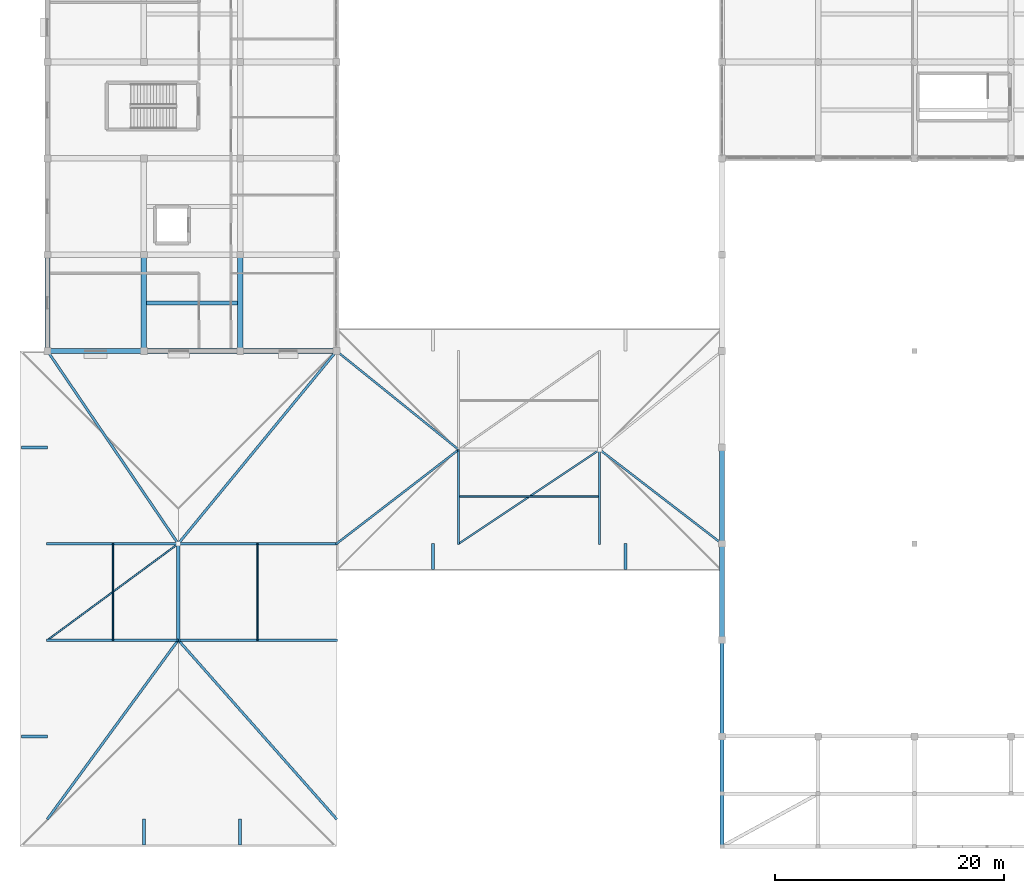
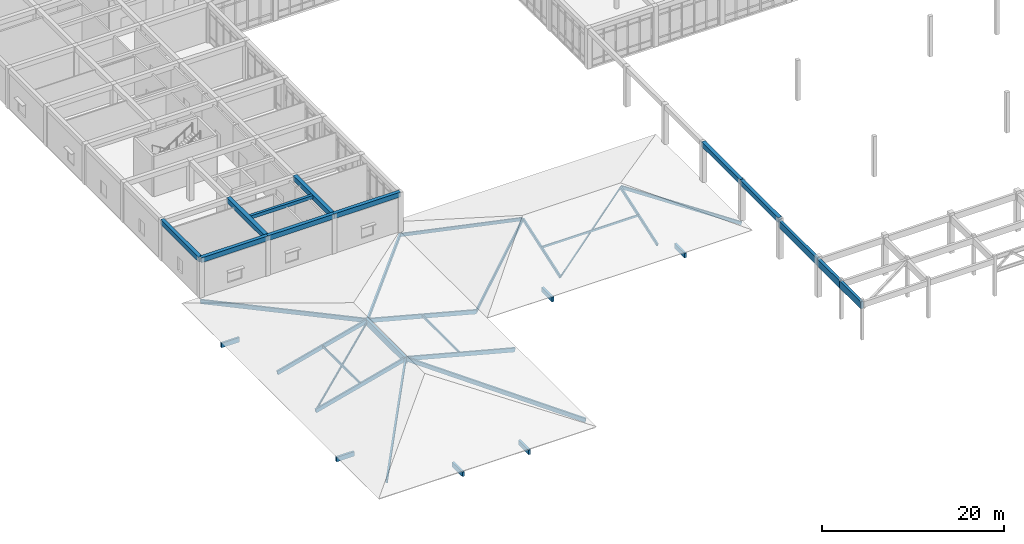
# One storey, part 5 of 89: 19 beams, 18 members.
"""IFC4 building model written with IfcOpenShell, lengths in metres."""

from ifc_helpers import new_model, si_unit, direction, frame, origin, origin_2d, place, context, subcontext, project, spatial, rectangle, hollow_rectangle, extrude, material, material_profile, profile_set, type_object, element, save


model = new_model("IFC4")

# Units and contexts
model_context = context("Model", 3, precision=1e-05, world=origin(), true_north=direction((0.0, 1.0)))
body_context = subcontext(model_context, "Body", "Model", "MODEL_VIEW")
ifc_project = project(units=[si_unit("LENGTHUNIT", "METRE"), si_unit("AREAUNIT", "SQUARE_METRE"), si_unit("VOLUMEUNIT", "CUBIC_METRE"), si_unit("PLANEANGLEUNIT", "RADIAN"), si_unit("MASSUNIT", "GRAM", prefix="KILO")], contexts=[model_context])

# Site, building, storey
site_placement = place(None, origin())
site = spatial("IfcSite", under=ifc_project, at=site_placement, CompositionType="ELEMENT")
building_placement = place(site_placement, origin())
building = spatial("IfcBuilding", under=site, at=building_placement, Name="Varncliffe General Hospital", CompositionType="ELEMENT")
storey_placement = place(building_placement, frame((0.0, 0.0, 10.800048828125)))
storey = spatial("IfcBuildingStorey", under=building, at=storey_placement, Name="L02", CompositionType="ELEMENT", Elevation=10.800048828125)

# Beams
ifc_material_1 = material(Name="Concrete C35/45 (CSA A23.1 35 MPa)", Category="concrete")
ifc_material_profile_1 = material_profile(ifc_material_1, rectangle(XDim=0.5, YDim=0.64990234375, at=origin_2d()), Name="RC 500x650")
ifc_profile_set_1 = profile_set([ifc_material_profile_1], Name="Concrete C35/45 (CSA A23.1 35 MPa)")
beam_type_1 = type_object("IfcBeamType", Name="Beam B29 (Int RC 500x650)", PredefinedType="BEAM", material=ifc_profile_set_1)
for number, where, z_axis, x_axis, name in (
    (1, (8.39990234375, 40.800048828125, 5.074951171875), (0.0, 1.0, 0.0), (-1.0, 0.0, 0.0), "L02 Primary Beam B29-252"),
    (2, (16.800048828125, 40.800048828125, 5.074951171875), (0.0, 1.0, 0.0), (-1.0, 0.0, 0.0), "L02 Primary Beam B29-263"),
):
    element("IfcBeam", number, at=place(storey_placement, frame(where, z_axis=z_axis, x_axis=x_axis)), inside=storey, type_object=beam_type_1, Name=name, PredefinedType="BEAM", context=body_context, shape_type="SweptSolid", body=[
        extrude(rectangle(XDim=0.5, YDim=0.64990234375, at=origin_2d()), origin(), (0.0, 0.0, 1.0), 8.39990234375),
    ])
ifc_material_2 = material(Name="Glulam GL28h (CSA O86 24f-EX, 30 MPa)", Category="wood")
ifc_material_profile_2 = material_profile(ifc_material_2, rectangle(XDim=0.31494140625, YDim=0.8359375, at=origin_2d()), Name="GL 315x836")
ifc_profile_set_2 = profile_set([ifc_material_profile_2], Name="Glulam GL28h (CSA O86 24f-EX, 30 MPa)")
beam_type_2 = type_object("IfcBeamType", Name="Beam B74 (Int GL 315x836)", PredefinedType="BEAM", material=ifc_profile_set_2)
beam_1_placement = place(storey_placement, frame((11.39990234375, 15.43994140625, 2.924072265625), z_axis=(0.0, 1.0, 0.0), x_axis=(-1.0, 0.0, 0.0)))
element("IfcBeam", 3, at=beam_1_placement, inside=storey, type_object=beam_type_2, Name="L02 RF-V2-W Glulam Ridge Girder", PredefinedType="BEAM", context=body_context, shape_type="SweptSolid", body=[
    extrude(rectangle(XDim=0.31494140625, YDim=0.8359375, at=origin_2d()), origin(), (0.0, 0.0, 1.0), 8.719970703125),
])
ifc_material_profile_3 = material_profile(ifc_material_2, rectangle(XDim=0.264892578125, YDim=0.60791015625, at=origin_2d()), Name="GL 265x608")
ifc_profile_set_3 = profile_set([ifc_material_profile_3], Name="Glulam GL28h (CSA O86 24f-EX, 30 MPa)")
beam_type_3 = type_object("IfcBeamType", Name="Beam B82 (Ext GL 265x608)", PredefinedType="BEAM", material=ifc_profile_set_3)
for number, where, z_axis, x_axis, name in (
    (4, (-2.260009765625, 7.199951171875, -0.511474609375), (1.0, 0.0, 0.0), (0.0, 1.0, 0.0), "L02 RF-V2-W West Eave Lookout Bracket 1"),
    (5, (-2.260009765625, 32.39990234375, -0.511474609375), (1.0, 0.0, 0.0), (0.0, 1.0, 0.0), "L02 RF-V2-W West Eave Lookout Bracket 2"),
    (6, (8.39990234375, -2.260009765625, -0.511474609375), (0.0, 1.0, 0.0), (-1.0, 0.0, 0.0), "L02 RF-V2-W South Eave Lookout Bracket 1"),
    (7, (16.800048828125, -2.260009765625, -0.511474609375), (0.0, 1.0, 0.0), (-1.0, 0.0, 0.0), "L02 RF-V2-W South Eave Lookout Bracket 2"),
    (8, (33.60009765625, 21.739990234375, -0.495361328125), (0.0, 1.0, 0.0), (-1.0, 0.0, 0.0), "L02 RF-V2-S South Eave Lookout Bracket 1"),
    (9, (50.39990234375, 21.739990234375, -0.495361328125), (0.0, 1.0, 0.0), (-1.0, 0.0, 0.0), "L02 RF-V2-S South Eave Lookout Bracket 2"),
):
    element("IfcBeam", number, at=place(storey_placement, frame(where, z_axis=z_axis, x_axis=x_axis)), inside=storey, type_object=beam_type_3, Name=name, PredefinedType="BEAM", context=body_context, shape_type="SweptSolid", body=[
        extrude(rectangle(XDim=0.264892578125, YDim=0.60791015625, at=origin_2d()), origin(), (0.0, 0.0, 1.0), 2.260009765625),
    ])
ifc_material_profile_4 = material_profile(ifc_material_2, rectangle(XDim=0.35009765625, YDim=0.949951171875, at=origin_2d()), Name="GL 350x950")
ifc_profile_set_4 = profile_set([ifc_material_profile_4], Name="Glulam GL28h (CSA O86 24f-EX, 30 MPa)")
beam_type_4 = type_object("IfcBeamType", Name="Beam B85 (Ext GL 350x950)", PredefinedType="BEAM", material=ifc_profile_set_4)
beam_2_placement = place(storey_placement, frame((58.800048828125, -2.39990234375, 4.56494140625), z_axis=(0.0, 1.0, 0.0), x_axis=(-1.0, 0.0, 0.0)))
element("IfcBeam", 10, at=beam_2_placement, inside=storey, type_object=beam_type_4, Name="L02 Primary Beam B85-308", PredefinedType="BEAM", context=body_context, shape_type="SweptSolid", body=[
    extrude(rectangle(XDim=0.35009765625, YDim=0.949951171875, at=origin_2d()), origin(), (0.0, 0.0, 1.0), 4.599853515625),
])
beam_3_placement = place(storey_placement, frame((58.800048828125, 2.199951171875, 4.56494140625), z_axis=(0.0, 1.0, 0.0), x_axis=(-1.0, 0.0, 0.0)))
element("IfcBeam", 11, at=beam_3_placement, inside=storey, type_object=beam_type_4, Name="L02 Primary Beam B85-309", PredefinedType="BEAM", context=body_context, shape_type="SweptSolid", body=[
    extrude(rectangle(XDim=0.35009765625, YDim=0.949951171875, at=origin_2d()), origin(), (0.0, 0.0, 1.0), 5.0),
])
beam_4_placement = place(storey_placement, frame((58.800048828125, 7.199951171875, 4.56494140625), z_axis=(0.0, 1.0, 0.0), x_axis=(-1.0, 0.0, 0.0)))
element("IfcBeam", 12, at=beam_4_placement, inside=storey, type_object=beam_type_4, Name="L02 Primary Beam B85-310", PredefinedType="BEAM", context=body_context, shape_type="SweptSolid", body=[
    extrude(rectangle(XDim=0.35009765625, YDim=0.949951171875, at=origin_2d()), origin(), (0.0, 0.0, 1.0), 8.400146484375),
])
ifc_material_profile_5 = material_profile(ifc_material_1, rectangle(XDim=0.35009765625, YDim=0.449951171875, at=origin_2d()), Name="RC 350x450")
ifc_profile_set_5 = profile_set([ifc_material_profile_5], Name="Concrete C35/45 (CSA A23.1 35 MPa)")
beam_type_5 = type_object("IfcBeamType", Name="Joist J55 (Int RC 350x450)", PredefinedType="JOIST", material=ifc_profile_set_5)
beam_5_placement = place(storey_placement, frame((8.64794921875, 45.0, 5.175048828125), z_axis=(1.0, 0.0, 0.0), x_axis=(0.0, 1.0, 0.0)))
element("IfcBeam", 13, at=beam_5_placement, inside=storey, type_object=beam_type_5, Name="L02 Secondary Floor Rib J55-1", PredefinedType="JOIST", context=body_context, shape_type="SweptSolid", body=[
    extrude(rectangle(XDim=0.35009765625, YDim=0.449951171875, at=origin_2d()), origin(), (0.0, 0.0, 1.0), 7.904052734375),
])

# Members
ifc_material_profile_6 = material_profile(ifc_material_2, rectangle(XDim=0.1298828125, YDim=0.26611328125, at=origin_2d()), Name="GL 130x266")
ifc_profile_set_6 = profile_set([ifc_material_profile_6], Name="Glulam GL28h (CSA O86 24f-EX, 30 MPa)")
member_type_1 = type_object("IfcMemberType", Name="Member MB19 (PURLIN Int GL 130x266)", PredefinedType="PURLIN", material=ifc_profile_set_6)
member_1_placement = place(storey_placement, frame((35.85009765625, 28.10009765625, 1.83935546875), z_axis=(1.0, 0.0, 0.0), x_axis=(0.0, 1.0, 0.0)))
element("IfcMember", 14, at=member_1_placement, inside=storey, type_object=member_type_1, Name="L02 RF-V2-S Timber Purlin S1", PredefinedType="PURLIN", context=body_context, shape_type="SweptSolid", body=[
    extrude(rectangle(XDim=0.1298828125, YDim=0.26611328125, at=origin_2d()), origin(), (0.0, 0.0, 1.0), 12.2998046875),
])
ifc_material_3 = material(Name="Steel S355 (CSA G40.21 350W)", Category="steel")
ifc_material_profile_7 = material_profile(ifc_material_3, hollow_rectangle(XDim=0.152099609375, YDim=0.25390625, WallThickness=0.009521484375, InnerFilletRadius=0.010009765625, OuterFilletRadius=0.01904296875, at=origin_2d()), Name="HSS 254x152x9.5")
ifc_profile_set_7 = profile_set([ifc_material_profile_7], Name="Steel S355 (CSA G40.21 350W)")
member_type_2 = type_object("IfcMemberType", Name="Member MB25 (BRACE Int HSS 254x152x9.5)", PredefinedType="BRACE", material=ifc_profile_set_7)
member_2_placement = place(storey_placement, frame((0.0, 15.60009765625, 0.0849609375), z_axis=(0.789347521465, 0.581622710059, 0.196584621731), x_axis=(-0.593197861815, 0.805056704051, 0.0)))
element("IfcMember", 15, at=member_2_placement, inside=storey, type_object=member_type_2, Name="L02 RF-V2-W Lateral Wind Brace 1", PredefinedType="BRACE", context=body_context, shape_type="SweptSolid", body=[
    extrude(hollow_rectangle(XDim=0.152099609375, YDim=0.25390625, WallThickness=0.009521484375, InnerFilletRadius=0.010009765625, OuterFilletRadius=0.01904296875, at=origin_2d()), origin(), (0.0, 0.0, 1.0), 14.442138671875),
])
ifc_material_profile_8 = material_profile(ifc_material_2, rectangle(XDim=0.1298828125, YDim=0.303955078125, at=origin_2d()), Name="GL 130x304")
ifc_profile_set_8 = profile_set([ifc_material_profile_8], Name="Glulam GL28h (CSA O86 24f-EX, 30 MPa)")
member_type_3 = type_object("IfcMemberType", Name="Member MB40 (PURLIN Int GL 130x304)", PredefinedType="PURLIN", material=ifc_profile_set_8)
for number, where, z_axis, x_axis, name in (
    (16, (5.699951171875, 15.60009765625, 1.713134765625), (0.0, 1.0, 0.0), (-1.0, 0.0, 0.0), "L02 RF-V2-W Timber Purlin W1"),
    (17, (18.300048828125, 15.60009765625, 1.39697265625), (0.0, 1.0, 0.0), (-1.0, 0.0, 0.0), "L02 RF-V2-W Timber Purlin E1"),
):
    element("IfcMember", number, at=place(storey_placement, frame(where, z_axis=z_axis, x_axis=x_axis)), inside=storey, type_object=member_type_3, Name=name, PredefinedType="PURLIN", context=body_context, shape_type="SweptSolid", body=[
        extrude(rectangle(XDim=0.1298828125, YDim=0.303955078125, at=origin_2d()), origin(), (0.0, 0.0, 1.0), 8.39990234375),
    ])
ifc_material_profile_9 = material_profile(ifc_material_2, rectangle(XDim=0.215087890625, YDim=0.531982421875, at=origin_2d()), Name="GL 215x532")
ifc_profile_set_9 = profile_set([ifc_material_profile_9], Name="Glulam GL28h (CSA O86 24f-EX, 30 MPa)")
member_type_4 = type_object("IfcMemberType", Name="Member MB62 (RAFTER Int GL 215x532)", PredefinedType="RAFTER", material=ifc_profile_set_9)
member_3_placement = place(storey_placement, frame((0.0, 0.0, 0.0908203125), z_axis=(0.583015678135, 0.797800386458, 0.153646550295), x_axis=(-0.807387408436, 0.590021671381, 0.0)))
element("IfcMember", 18, at=member_3_placement, inside=storey, type_object=member_type_4, Name="L02 RF-V2-W Hip Rafter SW", PredefinedType="RAFTER", context=body_context, shape_type="SweptSolid", body=[
    extrude(rectangle(XDim=0.215087890625, YDim=0.531982421875, at=origin_2d()), origin(), (0.0, 0.0, 1.0), 19.503173828125),
])
member_4_placement = place(storey_placement, frame((25.199951171875, 0.0, -0.54248046875), z_axis=(-0.652698283842, 0.737831836089, 0.172014917735), x_axis=(-0.74899611394, -0.66257438926, 0.0)))
element("IfcMember", 19, at=member_4_placement, inside=storey, type_object=member_type_4, Name="L02 RF-V2-W Hip Rafter SE", PredefinedType="RAFTER", context=body_context, shape_type="SweptSolid", body=[
    extrude(rectangle(XDim=0.215087890625, YDim=0.531982421875, at=origin_2d()), origin(), (0.0, 0.0, 1.0), 21.09228515625),
])
member_5_placement = place(storey_placement, frame((0.0, 40.800048828125, -0.542724609375), z_axis=(0.55269518529, -0.814501290363, 0.176396372282), x_axis=(0.827476774569, 0.561499944389, 0.0)))
element("IfcMember", 20, at=member_5_placement, inside=storey, type_object=member_type_4, Name="L02 RF-V2-W Hip Rafter NW", PredefinedType="RAFTER", context=body_context, shape_type="SweptSolid", body=[
    extrude(rectangle(XDim=0.215087890625, YDim=0.531982421875, at=origin_2d()), origin(), (0.0, 0.0, 1.0), 20.5751953125),
])
member_6_placement = place(storey_placement, frame((25.199951171875, 40.800048828125, -0.542236328125), z_axis=(-0.626038901814, -0.762136728505, 0.164993637692), x_axis=(0.772727240321, -0.634738223259, 0.0)))
element("IfcMember", 21, at=member_6_placement, inside=storey, type_object=member_type_4, Name="L02 RF-V2-W Hip Rafter NE", PredefinedType="RAFTER", context=body_context, shape_type="SweptSolid", body=[
    extrude(rectangle(XDim=0.215087890625, YDim=0.531982421875, at=origin_2d()), origin(), (0.0, 0.0, 1.0), 21.99267578125),
])
member_7_placement = place(storey_placement, frame((0.0, 15.60009765625, 0.0849609375), z_axis=(0.966984408335, 0.0, 0.254835543121), x_axis=(0.0, 1.0, 0.0)))
element("IfcMember", 22, at=member_7_placement, inside=storey, type_object=member_type_4, Name="L02 RF-V2-W West Sloped Glulam Rafter 1", PredefinedType="RAFTER", context=body_context, shape_type="SweptSolid", body=[
    extrude(rectangle(XDim=0.215087890625, YDim=0.531982421875, at=origin_2d()), origin(), (0.0, 0.0, 1.0), 11.727294921875),
])
member_8_placement = place(storey_placement, frame((25.199951171875, 15.60009765625, -0.547607421875), z_axis=(-0.966982555241, 0.0, 0.254842574661), x_axis=(0.0, -1.0, 0.0)))
element("IfcMember", 23, at=member_8_placement, inside=storey, type_object=member_type_4, Name="L02 RF-V2-W East Sloped Glulam Rafter 1", PredefinedType="RAFTER", context=body_context, shape_type="SweptSolid", body=[
    extrude(rectangle(XDim=0.215087890625, YDim=0.531982421875, at=origin_2d()), origin(), (0.0, 0.0, 1.0), 14.209228515625),
])
member_9_placement = place(storey_placement, frame((0.0, 24.0, 0.0849609375), z_axis=(0.966984408335, 0.0, 0.254835543121), x_axis=(0.0, 1.0, 0.0)))
element("IfcMember", 24, at=member_9_placement, inside=storey, type_object=member_type_4, Name="L02 RF-V2-W West Sloped Glulam Rafter 2", PredefinedType="RAFTER", context=body_context, shape_type="SweptSolid", body=[
    extrude(rectangle(XDim=0.215087890625, YDim=0.531982421875, at=origin_2d()), origin(), (0.0, 0.0, 1.0), 11.727294921875),
])
member_10_placement = place(storey_placement, frame((25.199951171875, 24.0, -0.547607421875), z_axis=(-0.966982555241, 0.0, 0.254842574661), x_axis=(0.0, -1.0, 0.0)))
element("IfcMember", 25, at=member_10_placement, inside=storey, type_object=member_type_4, Name="L02 RF-V2-W East Sloped Glulam Rafter 2", PredefinedType="RAFTER", context=body_context, shape_type="SweptSolid", body=[
    extrude(rectangle(XDim=0.215087890625, YDim=0.531982421875, at=origin_2d()), origin(), (0.0, 0.0, 1.0), 14.209228515625),
])
ifc_material_profile_10 = material_profile(ifc_material_3, hollow_rectangle(XDim=0.152099609375, YDim=0.152099609375, WallThickness=0.008056640625, InnerFilletRadius=0.008056640625, OuterFilletRadius=0.01611328125, at=origin_2d()), Name="HSS 152x152x8.0")
ifc_profile_set_10 = profile_set([ifc_material_profile_10], Name="Steel S355 (CSA G40.21 350W)")
member_type_5 = type_object("IfcMemberType", Name="Member MB64 (BRACE Int HSS 152x152x8.0)", PredefinedType="BRACE", material=ifc_profile_set_10)
member_11_placement = place(storey_placement, frame((35.85009765625, 24.0, 0.337158203125), z_axis=(0.818790430618, 0.545865704509, 0.17780006572), x_axis=(-0.554704007474, 0.832047753493, 0.0)))
element("IfcMember", 26, at=member_11_placement, inside=storey, type_object=member_type_5, Name="L02 RF-V2-S Lateral Wind Brace 1", PredefinedType="BRACE", context=body_context, shape_type="SweptSolid", body=[
    extrude(hollow_rectangle(XDim=0.152099609375, YDim=0.152099609375, WallThickness=0.008056640625, InnerFilletRadius=0.008056640625, OuterFilletRadius=0.01611328125, at=origin_2d()), origin(), (0.0, 0.0, 1.0), 15.02197265625),
])
ifc_material_profile_11 = material_profile(ifc_material_2, rectangle(XDim=0.175048828125, YDim=0.41796875, at=origin_2d()), Name="GL 175x418")
ifc_profile_set_11 = profile_set([ifc_material_profile_11], Name="Glulam GL28h (CSA O86 24f-EX, 30 MPa)")
member_type_6 = type_object("IfcMemberType", Name="Member MB73 (RAFTER Int GL 175x418)", PredefinedType="RAFTER", material=ifc_profile_set_11)
member_12_placement = place(storey_placement, frame((25.199951171875, 24.0, -0.484375), z_axis=(0.764637723477, 0.588732340152, 0.262151451445), x_axis=(-0.610068419195, 0.792348738815, 0.0)))
element("IfcMember", 27, at=member_12_placement, inside=storey, type_object=member_type_6, Name="L02 RF-V2-S Hip Rafter SW", PredefinedType="RAFTER", context=body_context, shape_type="SweptSolid", body=[
    extrude(rectangle(XDim=0.175048828125, YDim=0.41796875, at=origin_2d()), origin(), (0.0, 0.0, 1.0), 13.876220703125),
])
member_13_placement = place(storey_placement, frame((25.199951171875, 40.800048828125, -0.484130859375), z_axis=(0.751733189351, -0.6070354036, 0.257692124063), x_axis=(0.628253354172, 0.77800881934, 0.0)))
element("IfcMember", 28, at=member_13_placement, inside=storey, type_object=member_type_6, Name="L02 RF-V2-S Hip Rafter NW", PredefinedType="RAFTER", context=body_context, shape_type="SweptSolid", body=[
    extrude(rectangle(XDim=0.175048828125, YDim=0.41796875, at=origin_2d()), origin(), (0.0, 0.0, 1.0), 14.115478515625),
])
member_14_placement = place(storey_placement, frame((58.800048828125, 24.0, -0.484375), z_axis=(-0.764637723477, 0.588732340152, 0.262151451445), x_axis=(-0.610068419195, -0.792348738815, 0.0)))
element("IfcMember", 29, at=member_14_placement, inside=storey, type_object=member_type_6, Name="L02 RF-V2-S Hip Rafter SE", PredefinedType="RAFTER", context=body_context, shape_type="SweptSolid", body=[
    extrude(rectangle(XDim=0.175048828125, YDim=0.41796875, at=origin_2d()), origin(), (0.0, 0.0, 1.0), 13.876220703125),
])
for number, where, z_axis, x_axis, name in (
    (30, (35.85009765625, 24.0, 0.337158203125), (0.0, 0.945564198691, 0.325435625206), (-1.0, 0.0, 0.0), "L02 RF-V2-S South Sloped Glulam Rafter 1"),
    (31, (48.14990234375, 24.0, 0.337158203125), (0.0, 0.945564198691, 0.325435625206), (-1.0, 0.0, 0.0), "L02 RF-V2-S South Sloped Glulam Rafter 2"),
):
    element("IfcMember", number, at=place(storey_placement, frame(where, z_axis=z_axis, x_axis=x_axis)), inside=storey, type_object=member_type_6, Name=name, PredefinedType="RAFTER", context=body_context, shape_type="SweptSolid", body=[
        extrude(rectangle(XDim=0.175048828125, YDim=0.41796875, at=origin_2d()), origin(), (0.0, 0.0, 1.0), 8.6083984375),
    ])

# Beams
ifc_material_profile_12 = material_profile(ifc_material_1, rectangle(XDim=0.449951171875, YDim=0.64990234375, at=origin_2d()), Name="RC 450x650")
ifc_profile_set_12 = profile_set([ifc_material_profile_12], Name="Concrete C35/45 (CSA A23.1 35 MPa)")
beam_type_6 = type_object("IfcBeamType", Name="Spandrel SP38 (Ext RC 450x650B)", PredefinedType="SPANDREL", material=ifc_profile_set_12)
beam_6_placement = place(storey_placement, frame((0.0, 40.800048828125, 5.074951171875), z_axis=(1.0, 0.0, 0.0), x_axis=(0.0, 1.0, 0.0)))
element("IfcBeam", 32, at=beam_6_placement, inside=storey, type_object=beam_type_6, Name="L02 Spandrel Beam SP38-41", PredefinedType="SPANDREL", context=body_context, shape_type="SweptSolid", body=[
    extrude(rectangle(XDim=0.449951171875, YDim=0.64990234375, at=origin_2d()), origin(), (0.0, 0.0, 1.0), 8.39990234375),
])
beam_7_placement = place(storey_placement, frame((8.39990234375, 40.800048828125, 5.074951171875), z_axis=(1.0, 0.0, 0.0), x_axis=(0.0, 1.0, 0.0)))
element("IfcBeam", 33, at=beam_7_placement, inside=storey, type_object=beam_type_6, Name="L02 Spandrel Beam SP38-42", PredefinedType="SPANDREL", context=body_context, shape_type="SweptSolid", body=[
    extrude(rectangle(XDim=0.449951171875, YDim=0.64990234375, at=origin_2d()), origin(), (0.0, 0.0, 1.0), 8.400146484375),
])
for number, where, z_axis, x_axis, name in (
    (34, (16.800048828125, 40.800048828125, 5.074951171875), (1.0, 0.0, 0.0), (0.0, 1.0, 0.0), "L02 Spandrel Beam SP38-43"),
    (35, (0.0, 40.800048828125, 5.074951171875), (0.0, 1.0, 0.0), (-1.0, 0.0, 0.0), "L02 Spandrel Beam SP38-240"),
    (36, (58.800048828125, 15.60009765625, 5.074951171875), (0.0, 1.0, 0.0), (-1.0, 0.0, 0.0), "L02 Spandrel Beam SP38-311"),
    (37, (58.800048828125, 24.0, 5.074951171875), (0.0, 1.0, 0.0), (-1.0, 0.0, 0.0), "L02 Spandrel Beam SP38-312"),
):
    element("IfcBeam", number, at=place(storey_placement, frame(where, z_axis=z_axis, x_axis=x_axis)), inside=storey, type_object=beam_type_6, Name=name, PredefinedType="SPANDREL", context=body_context, shape_type="SweptSolid", body=[
        extrude(rectangle(XDim=0.449951171875, YDim=0.64990234375, at=origin_2d()), origin(), (0.0, 0.0, 1.0), 8.39990234375),
    ])

save(model, "model.ifc")
